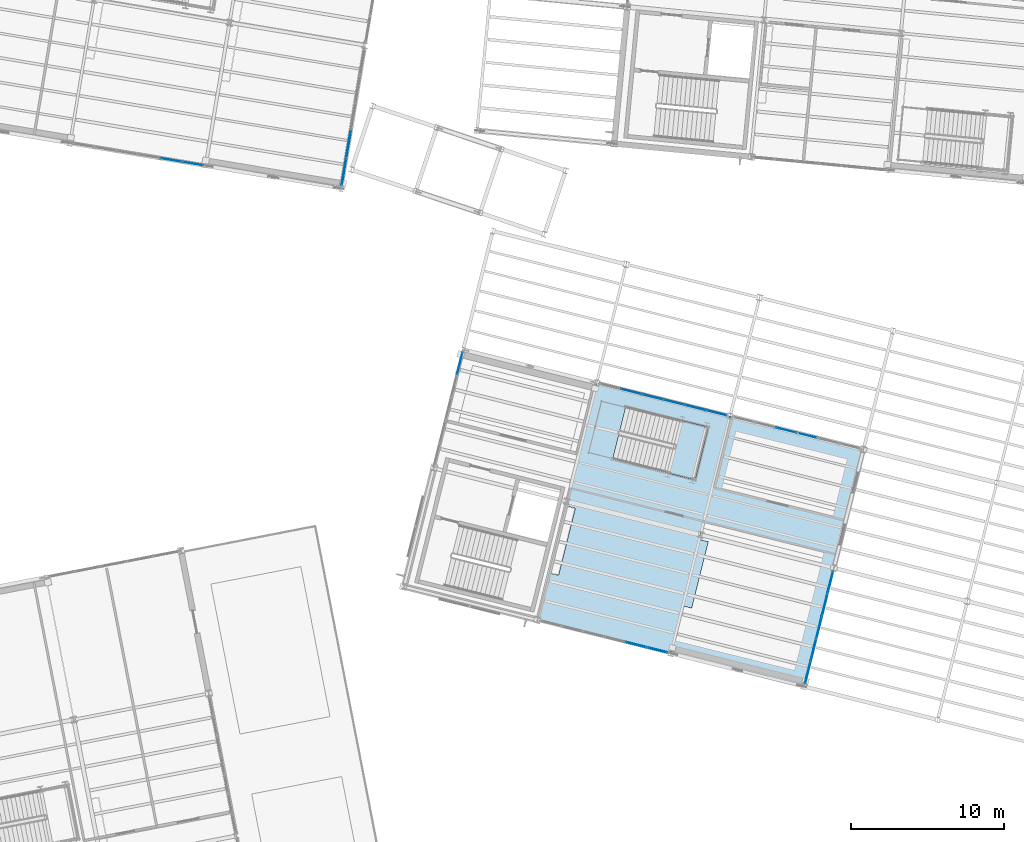
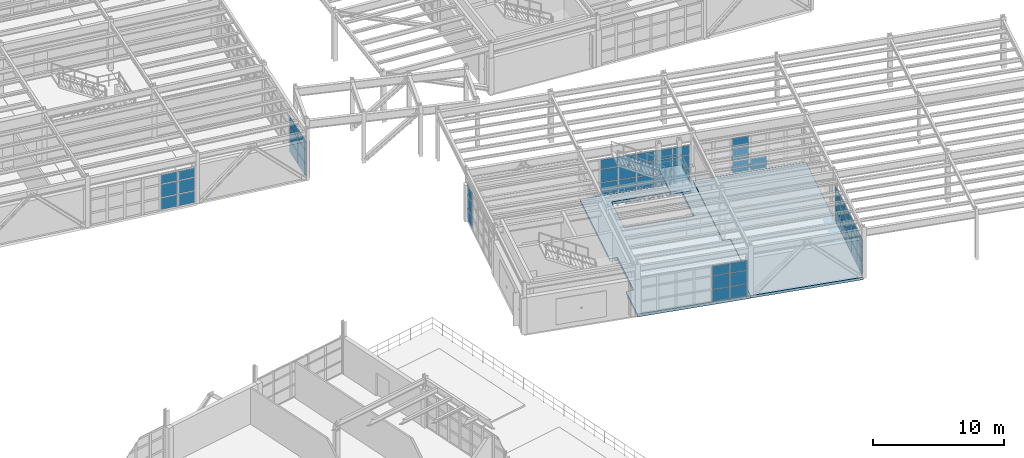
# One storey, part 67 of 109: 55 plates, 3 slabs, 8 elements without a shape of their own.
"""IFC4 building model written with IfcOpenShell, lengths in metres."""

from ifc_helpers import new_model, si_unit, direction, frame, origin, origin_2d, place, context, subcontext, project, spatial, polyline, rectangle, outline, extrude, material, layer, layer_set, type_object, element, aggregate, save


model = new_model("IFC4")

# Units and contexts
model_context = context("Model", 3, precision=1e-05, world=origin(), true_north=direction((0.0, 1.0)))
body_context = subcontext(model_context, "Body", "Model", "MODEL_VIEW")
ifc_project = project(units=[si_unit("LENGTHUNIT", "METRE"), si_unit("AREAUNIT", "SQUARE_METRE"), si_unit("VOLUMEUNIT", "CUBIC_METRE"), si_unit("PLANEANGLEUNIT", "RADIAN"), si_unit("MASSUNIT", "GRAM", prefix="KILO")], contexts=[model_context])

# Site, building, storey
site_placement = place(None, origin())
site = spatial("IfcSite", under=ifc_project, at=site_placement, CompositionType="ELEMENT")
building_placement = place(site_placement, origin())
building = spatial("IfcBuilding", under=site, at=building_placement, Name="Vireo Bluff Cable Station", CompositionType="ELEMENT")
storey_placement = place(building_placement, frame((0.0, 0.0, 4.800048828125)))
storey = spatial("IfcBuildingStorey", under=building, at=storey_placement, Name="L01", CompositionType="ELEMENT", Elevation=4.800048828125)

# Curtain wall, plates
ifc_material_1 = material(Name="Anodized Aluminium 6063-T6", Category="aluminium")
ifc_layer_1 = layer(ifc_material_1, 0.179931640625, Name="Anodized Aluminium 6063-T6")
ifc_layer_set_1 = layer_set([ifc_layer_1], Name="Anodized Aluminium 6063-T6")
curtain_wall_type_1 = type_object("IfcCurtainWallType", Name="CW-UNIT-1650", PredefinedType="USERDEFINED", material=ifc_layer_set_1)
curtain_wall_1_placement = place(storey_placement, origin())
curtain_wall_1 = element("IfcCurtainWall", 1, at=curtain_wall_1_placement, inside=storey, type_object=curtain_wall_type_1, Name="V1 L01 west curtain wall CW-005", ObjectType="UNITISED CURTAIN WALL", PredefinedType="USERDEFINED")
ifc_material_2 = material(Name="Laminated Low-E Insulated Glass", Category="glass")
ifc_layer_2 = layer(ifc_material_2, 0.028076171875, Name="Laminated Low-E Insulated Glass")
ifc_layer_set_2 = layer_set([ifc_layer_2], Name="Laminated Low-E Insulated Glass")
plate_type_1 = type_object("IfcPlateType", Name="CWP-28-1", PredefinedType="CURTAIN_PANEL", material=ifc_layer_set_2)
plate_1_placement = place(storey_placement, frame((57.6474609375, 52.62890625, 0.0751953125), z_axis=(0.0, 0.0, 1.0), x_axis=(0.241921948216, 0.970295713157, 0.0)))
plate_1 = element("IfcPlate", 2, at=plate_1_placement, type_object=plate_type_1, Name="CW-005 panel 5.1", PredefinedType="CURTAIN_PANEL", context=body_context, shape_type="SweptSolid", body=[
    extrude(rectangle(XDim=1.435302734375, YDim=0.028076171875, at=origin_2d()), origin(), (0.0, 0.0, 1.0), 1.077392578125),
])
plate_2_placement = place(storey_placement, frame((57.6474609375, 52.62890625, 1.227294921875), z_axis=(0.0, 0.0, 1.0), x_axis=(0.241921948216, 0.970295713157, 0.0)))
plate_2 = element("IfcPlate", 3, at=plate_2_placement, type_object=plate_type_1, Name="CW-005 panel 5.2", PredefinedType="CURTAIN_PANEL", context=body_context, shape_type="SweptSolid", body=[
    extrude(rectangle(XDim=1.435302734375, YDim=0.028076171875, at=origin_2d()), origin(), (0.0, 0.0, 1.0), 1.18310546875),
])
plate_3_placement = place(storey_placement, frame((57.6474609375, 52.62890625, 2.4853515625), z_axis=(0.0, 0.0, 1.0), x_axis=(0.241921948216, 0.970295713157, 0.0)))
plate_3 = element("IfcPlate", 4, at=plate_3_placement, type_object=plate_type_1, Name="CW-005 panel 5.3", PredefinedType="CURTAIN_PANEL", context=body_context, shape_type="SweptSolid", body=[
    extrude(rectangle(XDim=1.435302734375, YDim=0.028076171875, at=origin_2d()), origin(), (0.0, 0.0, 1.0), 0.839599609375),
])
aggregate(curtain_wall_1, [plate_1, plate_2, plate_3])

ifc_layer_3 = layer(ifc_material_1, 0.179931640625, Name="Anodized Aluminium 6063-T6")
ifc_layer_set_3 = layer_set([ifc_layer_3], Name="Anodized Aluminium 6063-T6")
curtain_wall_type_2 = type_object("IfcCurtainWallType", Name="CW-UNIT-1500", PredefinedType="USERDEFINED", material=ifc_layer_set_3)
curtain_wall_2_placement = place(storey_placement, origin())
curtain_wall_2 = element("IfcCurtainWall", 5, at=curtain_wall_2_placement, inside=storey, type_object=curtain_wall_type_2, Name="V4 L01 south curtain wall CW-085", ObjectType="UNITISED CURTAIN WALL", PredefinedType="USERDEFINED")
plate_4_placement = place(storey_placement, frame((40.146484375, 65.7021484375, 0.0751953125), z_axis=(0.0, 0.0, 1.0), x_axis=(-0.986285599325, 0.165047619081, 0.0)))
plate_4 = element("IfcPlate", 6, at=plate_4_placement, type_object=plate_type_1, Name="CW-085 panel 1.1", PredefinedType="CURTAIN_PANEL", context=body_context, shape_type="SweptSolid", body=[
    extrude(rectangle(XDim=1.334716796875, YDim=0.028076171875, at=origin_2d()), origin(), (0.0, 0.0, 1.0), 1.077392578125),
])
plate_5_placement = place(storey_placement, frame((40.146484375, 65.7021484375, 1.227294921875), z_axis=(0.0, 0.0, 1.0), x_axis=(-0.986285599325, 0.165047619081, 0.0)))
plate_5 = element("IfcPlate", 7, at=plate_5_placement, type_object=plate_type_1, Name="CW-085 panel 1.2", PredefinedType="CURTAIN_PANEL", context=body_context, shape_type="SweptSolid", body=[
    extrude(rectangle(XDim=1.334716796875, YDim=0.028076171875, at=origin_2d()), origin(), (0.0, 0.0, 1.0), 1.18310546875),
])
plate_6_placement = place(storey_placement, frame((40.146484375, 65.7021484375, 2.4853515625), z_axis=(0.0, 0.0, 1.0), x_axis=(-0.986285599325, 0.165047619081, 0.0)))
plate_6 = element("IfcPlate", 8, at=plate_6_placement, type_object=plate_type_1, Name="CW-085 panel 1.3", PredefinedType="CURTAIN_PANEL", context=body_context, shape_type="SweptSolid", body=[
    extrude(rectangle(XDim=1.334716796875, YDim=0.028076171875, at=origin_2d()), origin(), (0.0, 0.0, 1.0), 0.839599609375),
])
plate_7_placement = place(storey_placement, frame((38.737548828125, 65.93798828125, 0.0751953125), z_axis=(0.0, 0.0, 1.0), x_axis=(-0.986285599325, 0.165047619081, 0.0)))
plate_7 = element("IfcPlate", 9, at=plate_7_placement, type_object=plate_type_1, Name="CW-085 panel 2.1", PredefinedType="CURTAIN_PANEL", context=body_context, shape_type="SweptSolid", body=[
    extrude(rectangle(XDim=1.372314453125, YDim=0.028076171875, at=origin_2d()), origin(), (0.0, 0.0, 1.0), 1.077392578125),
])
plate_8_placement = place(storey_placement, frame((38.737548828125, 65.93798828125, 1.227294921875), z_axis=(0.0, 0.0, 1.0), x_axis=(-0.986285599325, 0.165047619081, 0.0)))
plate_8 = element("IfcPlate", 10, at=plate_8_placement, type_object=plate_type_1, Name="CW-085 panel 2.2", PredefinedType="CURTAIN_PANEL", context=body_context, shape_type="SweptSolid", body=[
    extrude(rectangle(XDim=1.372314453125, YDim=0.028076171875, at=origin_2d()), origin(), (0.0, 0.0, 1.0), 1.18310546875),
])
plate_9_placement = place(storey_placement, frame((38.737548828125, 65.93798828125, 2.4853515625), z_axis=(0.0, 0.0, 1.0), x_axis=(-0.986285599325, 0.165047619081, 0.0)))
plate_9 = element("IfcPlate", 11, at=plate_9_placement, type_object=plate_type_1, Name="CW-085 panel 2.3", PredefinedType="CURTAIN_PANEL", context=body_context, shape_type="SweptSolid", body=[
    extrude(rectangle(XDim=1.372314453125, YDim=0.028076171875, at=origin_2d()), origin(), (0.0, 0.0, 1.0), 0.839599609375),
])
aggregate(curtain_wall_2, [plate_4, plate_5, plate_6, plate_7, plate_8, plate_9])

ifc_layer_4 = layer(ifc_material_1, 0.179931640625, Name="Anodized Aluminium 6063-T6")
ifc_layer_set_4 = layer_set([ifc_layer_4], Name="Anodized Aluminium 6063-T6")
curtain_wall_type_3 = type_object("IfcCurtainWallType", Name="CW-UNIT-1400", PredefinedType="USERDEFINED", material=ifc_layer_set_4)
curtain_wall_3_placement = place(storey_placement, origin())
curtain_wall_3 = element("IfcCurtainWall", 12, at=curtain_wall_3_placement, inside=storey, type_object=curtain_wall_type_3, Name="V1 L01 north curtain wall CW-006", ObjectType="UNITISED CURTAIN WALL", PredefinedType="USERDEFINED")
ifc_layer_5 = layer(ifc_material_2, 0.031982421875, Name="Laminated Low-E Insulated Glass")
ifc_layer_set_5 = layer_set([ifc_layer_5], Name="Laminated Low-E Insulated Glass")
plate_type_2 = type_object("IfcPlateType", Name="CWP-32-2", PredefinedType="CURTAIN_PANEL", material=ifc_layer_set_5)
plate_10_placement = place(storey_placement, frame((68.877197265625, 50.780517578125, 0.059814453125), z_axis=(0.0, 0.0, 1.0), x_axis=(0.970295734104, -0.241921864202, 0.0)))
plate_10 = element("IfcPlate", 13, at=plate_10_placement, type_object=plate_type_2, Name="CW-006 panel 2.1", PredefinedType="CURTAIN_PANEL", context=body_context, shape_type="SweptSolid", body=[
    extrude(rectangle(XDim=1.377685546875, YDim=0.031982421875, at=origin_2d()), origin(), (0.0, 0.0, 1.0), 1.10009765625),
])
plate_11_placement = place(storey_placement, frame((68.877197265625, 50.780517578125, 1.2197265625), z_axis=(0.0, 0.0, 1.0), x_axis=(0.970295734104, -0.241921864202, 0.0)))
plate_11 = element("IfcPlate", 14, at=plate_11_placement, type_object=plate_type_2, Name="CW-006 panel 2.2", PredefinedType="CURTAIN_PANEL", context=body_context, shape_type="SweptSolid", body=[
    extrude(rectangle(XDim=1.377685546875, YDim=0.031982421875, at=origin_2d()), origin(), (0.0, 0.0, 1.0), 1.197998046875),
])
plate_12_placement = place(storey_placement, frame((68.877197265625, 50.780517578125, 2.47802734375), z_axis=(0.0, 0.0, 1.0), x_axis=(0.970295734104, -0.241921864202, 0.0)))
plate_12 = element("IfcPlate", 15, at=plate_12_placement, type_object=plate_type_2, Name="CW-006 panel 2.3", PredefinedType="CURTAIN_PANEL", context=body_context, shape_type="SweptSolid", body=[
    extrude(rectangle(XDim=1.377685546875, YDim=0.031982421875, at=origin_2d()), origin(), (0.0, 0.0, 1.0), 0.862060546875),
])
plate_13_placement = place(storey_placement, frame((70.272216796875, 50.4326171875, 0.059814453125), z_axis=(0.0, 0.0, 1.0), x_axis=(0.970295734104, -0.241921864202, 0.0)))
plate_13 = element("IfcPlate", 16, at=plate_13_placement, type_object=plate_type_2, Name="CW-006 panel 3.1", PredefinedType="CURTAIN_PANEL", context=body_context, shape_type="SweptSolid", body=[
    extrude(rectangle(XDim=1.377685546875, YDim=0.031982421875, at=origin_2d()), origin(), (0.0, 0.0, 1.0), 1.10009765625),
])
plate_14_placement = place(storey_placement, frame((70.272216796875, 50.4326171875, 1.2197265625), z_axis=(0.0, 0.0, 1.0), x_axis=(0.970295734104, -0.241921864202, 0.0)))
plate_14 = element("IfcPlate", 17, at=plate_14_placement, type_object=plate_type_2, Name="CW-006 panel 3.2", PredefinedType="CURTAIN_PANEL", context=body_context, shape_type="SweptSolid", body=[
    extrude(rectangle(XDim=1.377685546875, YDim=0.031982421875, at=origin_2d()), origin(), (0.0, 0.0, 1.0), 1.197998046875),
])
plate_15_placement = place(storey_placement, frame((70.272216796875, 50.4326171875, 2.47802734375), z_axis=(0.0, 0.0, 1.0), x_axis=(0.970295734104, -0.241921864202, 0.0)))
plate_15 = element("IfcPlate", 18, at=plate_15_placement, type_object=plate_type_2, Name="CW-006 panel 3.3", PredefinedType="CURTAIN_PANEL", context=body_context, shape_type="SweptSolid", body=[
    extrude(rectangle(XDim=1.377685546875, YDim=0.031982421875, at=origin_2d()), origin(), (0.0, 0.0, 1.0), 0.862060546875),
])
plate_16_placement = place(storey_placement, frame((71.667236328125, 50.0849609375, 0.059814453125), z_axis=(0.0, 0.0, 1.0), x_axis=(0.970295734104, -0.241921864202, 0.0)))
plate_16 = element("IfcPlate", 19, at=plate_16_placement, type_object=plate_type_2, Name="CW-006 panel 4.1", PredefinedType="CURTAIN_PANEL", context=body_context, shape_type="SweptSolid", body=[
    extrude(rectangle(XDim=1.377685546875, YDim=0.031982421875, at=origin_2d()), origin(), (0.0, 0.0, 1.0), 1.10009765625),
])
plate_17_placement = place(storey_placement, frame((71.667236328125, 50.0849609375, 1.2197265625), z_axis=(0.0, 0.0, 1.0), x_axis=(0.970295734104, -0.241921864202, 0.0)))
plate_17 = element("IfcPlate", 20, at=plate_17_placement, type_object=plate_type_2, Name="CW-006 panel 4.2", PredefinedType="CURTAIN_PANEL", context=body_context, shape_type="SweptSolid", body=[
    extrude(rectangle(XDim=1.377685546875, YDim=0.031982421875, at=origin_2d()), origin(), (0.0, 0.0, 1.0), 1.197998046875),
])
plate_18_placement = place(storey_placement, frame((71.667236328125, 50.0849609375, 2.47802734375), z_axis=(0.0, 0.0, 1.0), x_axis=(0.970295734104, -0.241921864202, 0.0)))
plate_18 = element("IfcPlate", 21, at=plate_18_placement, type_object=plate_type_2, Name="CW-006 panel 4.3", PredefinedType="CURTAIN_PANEL", context=body_context, shape_type="SweptSolid", body=[
    extrude(rectangle(XDim=1.377685546875, YDim=0.031982421875, at=origin_2d()), origin(), (0.0, 0.0, 1.0), 0.862060546875),
])
plate_19_placement = place(storey_placement, frame((73.062255859375, 49.737060546875, 0.059814453125), z_axis=(0.0, 0.0, 1.0), x_axis=(0.970295734104, -0.241921864202, 0.0)))
plate_19 = element("IfcPlate", 22, at=plate_19_placement, type_object=plate_type_2, Name="CW-006 panel 5.1", PredefinedType="CURTAIN_PANEL", context=body_context, shape_type="SweptSolid", body=[
    extrude(rectangle(XDim=1.377685546875, YDim=0.031982421875, at=origin_2d()), origin(), (0.0, 0.0, 1.0), 1.10009765625),
])
plate_20_placement = place(storey_placement, frame((73.062255859375, 49.737060546875, 1.2197265625), z_axis=(0.0, 0.0, 1.0), x_axis=(0.970295734104, -0.241921864202, 0.0)))
plate_20 = element("IfcPlate", 23, at=plate_20_placement, type_object=plate_type_2, Name="CW-006 panel 5.2", PredefinedType="CURTAIN_PANEL", context=body_context, shape_type="SweptSolid", body=[
    extrude(rectangle(XDim=1.377685546875, YDim=0.031982421875, at=origin_2d()), origin(), (0.0, 0.0, 1.0), 1.197998046875),
])
plate_21_placement = place(storey_placement, frame((73.062255859375, 49.737060546875, 2.47802734375), z_axis=(0.0, 0.0, 1.0), x_axis=(0.970295734104, -0.241921864202, 0.0)))
plate_21 = element("IfcPlate", 24, at=plate_21_placement, type_object=plate_type_2, Name="CW-006 panel 5.3", PredefinedType="CURTAIN_PANEL", context=body_context, shape_type="SweptSolid", body=[
    extrude(rectangle(XDim=1.377685546875, YDim=0.031982421875, at=origin_2d()), origin(), (0.0, 0.0, 1.0), 0.862060546875),
])
plate_22_placement = place(storey_placement, frame((74.442626953125, 49.392822265625, 0.059814453125), z_axis=(0.0, 0.0, 1.0), x_axis=(0.970295734104, -0.241921864202, 0.0)))
plate_22 = element("IfcPlate", 25, at=plate_22_placement, type_object=plate_type_2, Name="CW-006 panel 6.1", PredefinedType="CURTAIN_PANEL", context=body_context, shape_type="SweptSolid", body=[
    extrude(rectangle(XDim=1.34765625, YDim=0.031982421875, at=origin_2d()), origin(), (0.0, 0.0, 1.0), 1.10009765625),
])
plate_23_placement = place(storey_placement, frame((74.442626953125, 49.392822265625, 1.2197265625), z_axis=(0.0, 0.0, 1.0), x_axis=(0.970295734104, -0.241921864202, 0.0)))
plate_23 = element("IfcPlate", 26, at=plate_23_placement, type_object=plate_type_2, Name="CW-006 panel 6.2", PredefinedType="CURTAIN_PANEL", context=body_context, shape_type="SweptSolid", body=[
    extrude(rectangle(XDim=1.34765625, YDim=0.031982421875, at=origin_2d()), origin(), (0.0, 0.0, 1.0), 1.197998046875),
])
plate_24_placement = place(storey_placement, frame((74.442626953125, 49.392822265625, 2.47802734375), z_axis=(0.0, 0.0, 1.0), x_axis=(0.970295734104, -0.241921864202, 0.0)))
plate_24 = element("IfcPlate", 27, at=plate_24_placement, type_object=plate_type_2, Name="CW-006 panel 6.3", PredefinedType="CURTAIN_PANEL", context=body_context, shape_type="SweptSolid", body=[
    extrude(rectangle(XDim=1.34765625, YDim=0.031982421875, at=origin_2d()), origin(), (0.0, 0.0, 1.0), 0.862060546875),
])
aggregate(curtain_wall_3, [plate_10, plate_11, plate_12, plate_13, plate_14, plate_15, plate_16, plate_17, plate_18, plate_19, plate_20, plate_21, plate_22, plate_23, plate_24])

curtain_wall_4_placement = place(storey_placement, origin())
curtain_wall_4 = element("IfcCurtainWall", 28, at=curtain_wall_4_placement, inside=storey, type_object=curtain_wall_type_2, Name="V1 L01 north curtain wall CW-007", ObjectType="UNITISED CURTAIN WALL", PredefinedType="USERDEFINED")
ifc_layer_6 = layer(ifc_material_2, 0.035888671875, Name="Laminated Low-E Insulated Glass")
ifc_layer_set_6 = layer_set([ifc_layer_6], Name="Laminated Low-E Insulated Glass")
plate_type_3 = type_object("IfcPlateType", Name="CWP-36-3", PredefinedType="CURTAIN_PANEL", material=ifc_layer_set_6)
plate_25_placement = place(storey_placement, frame((79.0048828125, 48.25537109375, 0.080078125), z_axis=(0.0, 0.0, 1.0), x_axis=(0.970295734104, -0.241921864202, 0.0)))
plate_25 = element("IfcPlate", 29, at=plate_25_placement, type_object=plate_type_3, Name="CW-007 panel 3.1", PredefinedType="CURTAIN_PANEL", context=body_context, shape_type="SweptSolid", body=[
    extrude(rectangle(XDim=1.357666015625, YDim=0.035888671875, at=origin_2d()), origin(), (0.0, 0.0, 1.0), 1.070068359375),
])
plate_26_placement = place(storey_placement, frame((79.0048828125, 48.25537109375, 1.22998046875), z_axis=(0.0, 0.0, 1.0), x_axis=(0.970295734104, -0.241921864202, 0.0)))
plate_26 = element("IfcPlate", 30, at=plate_26_placement, type_object=plate_type_3, Name="CW-007 panel 3.2", PredefinedType="CURTAIN_PANEL", context=body_context, shape_type="SweptSolid", body=[
    extrude(rectangle(XDim=1.357666015625, YDim=0.035888671875, at=origin_2d()), origin(), (0.0, 0.0, 1.0), 1.177978515625),
])
plate_27_placement = place(storey_placement, frame((79.0048828125, 48.25537109375, 2.488037109375), z_axis=(0.0, 0.0, 1.0), x_axis=(0.970295734104, -0.241921864202, 0.0)))
plate_27 = element("IfcPlate", 31, at=plate_27_placement, type_object=plate_type_3, Name="CW-007 panel 3.3", PredefinedType="CURTAIN_PANEL", context=body_context, shape_type="SweptSolid", body=[
    extrude(rectangle(XDim=1.357666015625, YDim=0.035888671875, at=origin_2d()), origin(), (0.0, 0.0, 1.0), 0.83203125),
])
plate_28_placement = place(storey_placement, frame((80.39990234375, 47.907470703125, 0.080078125), z_axis=(0.0, 0.0, 1.0), x_axis=(0.970295734104, -0.241921864202, 0.0)))
plate_28 = element("IfcPlate", 32, at=plate_28_placement, type_object=plate_type_3, Name="CW-007 panel 4.1", PredefinedType="CURTAIN_PANEL", context=body_context, shape_type="SweptSolid", body=[
    extrude(rectangle(XDim=1.357666015625, YDim=0.035888671875, at=origin_2d()), origin(), (0.0, 0.0, 1.0), 1.070068359375),
])
aggregate(curtain_wall_4, [plate_25, plate_26, plate_27, plate_28])

curtain_wall_5_placement = place(storey_placement, origin())
curtain_wall_5 = element("IfcCurtainWall", 33, at=curtain_wall_5_placement, inside=storey, type_object=curtain_wall_type_1, Name="V1 L01 east curtain wall CW-008", ObjectType="UNITISED CURTAIN WALL", PredefinedType="USERDEFINED")
ifc_material_3 = material(Name="Insulated Spandrel Glass Panel", Category="glass")
ifc_layer_7 = layer(ifc_material_3, 0.0419921875, Name="Insulated Spandrel Glass Panel")
ifc_layer_set_7 = layer_set([ifc_layer_7], Name="Insulated Spandrel Glass Panel")
plate_type_4 = type_object("IfcPlateType", Name="CWP-42-4", PredefinedType="CURTAIN_PANEL", material=ifc_layer_set_7)
plate_29_placement = place(storey_placement, frame((81.900390625, 38.2958984375, 0.06494140625), z_axis=(0.0, 0.0, 1.0), x_axis=(-0.241921953331, -0.970295711882, 0.0)))
plate_29 = element("IfcPlate", 34, at=plate_29_placement, type_object=plate_type_4, Name="CW-008 panel 1.1", PredefinedType="CURTAIN_PANEL", context=body_context, shape_type="SweptSolid", body=[
    extrude(rectangle(XDim=1.429443359375, YDim=0.0419921875, at=origin_2d()), origin(), (0.0, 0.0, 1.0), 1.092529296875),
])
plate_30_placement = place(storey_placement, frame((81.900390625, 38.2958984375, 1.22216796875), z_axis=(0.0, 0.0, 1.0), x_axis=(-0.241921953331, -0.970295711882, 0.0)))
plate_30 = element("IfcPlate", 35, at=plate_30_placement, type_object=plate_type_4, Name="CW-008 panel 1.2", PredefinedType="CURTAIN_PANEL", context=body_context, shape_type="SweptSolid", body=[
    extrude(rectangle(XDim=1.429443359375, YDim=0.0419921875, at=origin_2d()), origin(), (0.0, 0.0, 1.0), 1.193115234375),
])
plate_31_placement = place(storey_placement, frame((81.900390625, 38.2958984375, 2.48046875), z_axis=(0.0, 0.0, 1.0), x_axis=(-0.241921953331, -0.970295711882, 0.0)))
plate_31 = element("IfcPlate", 36, at=plate_31_placement, type_object=plate_type_4, Name="CW-008 panel 1.3", PredefinedType="CURTAIN_PANEL", context=body_context, shape_type="SweptSolid", body=[
    extrude(rectangle(XDim=1.429443359375, YDim=0.0419921875, at=origin_2d()), origin(), (0.0, 0.0, 1.0), 0.8544921875),
])
plate_32_placement = place(storey_placement, frame((81.534912109375, 36.830078125, 0.06494140625), z_axis=(0.0, 0.0, 1.0), x_axis=(-0.241921953331, -0.970295711882, 0.0)))
plate_32 = element("IfcPlate", 37, at=plate_32_placement, type_object=plate_type_4, Name="CW-008 panel 2.1", PredefinedType="CURTAIN_PANEL", context=body_context, shape_type="SweptSolid", body=[
    extrude(rectangle(XDim=1.4619140625, YDim=0.0419921875, at=origin_2d()), origin(), (0.0, 0.0, 1.0), 1.092529296875),
])
plate_33_placement = place(storey_placement, frame((81.534912109375, 36.830078125, 1.22216796875), z_axis=(0.0, 0.0, 1.0), x_axis=(-0.241921953331, -0.970295711882, 0.0)))
plate_33 = element("IfcPlate", 38, at=plate_33_placement, type_object=plate_type_4, Name="CW-008 panel 2.2", PredefinedType="CURTAIN_PANEL", context=body_context, shape_type="SweptSolid", body=[
    extrude(rectangle(XDim=1.4619140625, YDim=0.0419921875, at=origin_2d()), origin(), (0.0, 0.0, 1.0), 1.193115234375),
])
plate_34_placement = place(storey_placement, frame((81.534912109375, 36.830078125, 2.48046875), z_axis=(0.0, 0.0, 1.0), x_axis=(-0.241921953331, -0.970295711882, 0.0)))
plate_34 = element("IfcPlate", 39, at=plate_34_placement, type_object=plate_type_4, Name="CW-008 panel 2.3", PredefinedType="CURTAIN_PANEL", context=body_context, shape_type="SweptSolid", body=[
    extrude(rectangle(XDim=1.4619140625, YDim=0.0419921875, at=origin_2d()), origin(), (0.0, 0.0, 1.0), 0.8544921875),
])
plate_35_placement = place(storey_placement, frame((81.16552734375, 35.3486328125, 0.06494140625), z_axis=(0.0, 0.0, 1.0), x_axis=(-0.241921953331, -0.970295711882, 0.0)))
plate_35 = element("IfcPlate", 40, at=plate_35_placement, type_object=plate_type_4, Name="CW-008 panel 3.1", PredefinedType="CURTAIN_PANEL", context=body_context, shape_type="SweptSolid", body=[
    extrude(rectangle(XDim=1.4619140625, YDim=0.0419921875, at=origin_2d()), origin(), (0.0, 0.0, 1.0), 1.092529296875),
])
plate_36_placement = place(storey_placement, frame((81.16552734375, 35.3486328125, 1.22216796875), z_axis=(0.0, 0.0, 1.0), x_axis=(-0.241921953331, -0.970295711882, 0.0)))
plate_36 = element("IfcPlate", 41, at=plate_36_placement, type_object=plate_type_4, Name="CW-008 panel 3.2", PredefinedType="CURTAIN_PANEL", context=body_context, shape_type="SweptSolid", body=[
    extrude(rectangle(XDim=1.4619140625, YDim=0.0419921875, at=origin_2d()), origin(), (0.0, 0.0, 1.0), 1.193115234375),
])
plate_37_placement = place(storey_placement, frame((81.16552734375, 35.3486328125, 2.48046875), z_axis=(0.0, 0.0, 1.0), x_axis=(-0.241921953331, -0.970295711882, 0.0)))
plate_37 = element("IfcPlate", 42, at=plate_37_placement, type_object=plate_type_4, Name="CW-008 panel 3.3", PredefinedType="CURTAIN_PANEL", context=body_context, shape_type="SweptSolid", body=[
    extrude(rectangle(XDim=1.4619140625, YDim=0.0419921875, at=origin_2d()), origin(), (0.0, 0.0, 1.0), 0.8544921875),
])
plate_38_placement = place(storey_placement, frame((80.796142578125, 33.866943359375, 0.06494140625), z_axis=(0.0, 0.0, 1.0), x_axis=(-0.241921953331, -0.970295711882, 0.0)))
plate_38 = element("IfcPlate", 43, at=plate_38_placement, type_object=plate_type_4, Name="CW-008 panel 4.1", PredefinedType="CURTAIN_PANEL", context=body_context, shape_type="SweptSolid", body=[
    extrude(rectangle(XDim=1.4619140625, YDim=0.0419921875, at=origin_2d()), origin(), (0.0, 0.0, 1.0), 1.092529296875),
])
plate_39_placement = place(storey_placement, frame((80.796142578125, 33.866943359375, 1.22216796875), z_axis=(0.0, 0.0, 1.0), x_axis=(-0.241921953331, -0.970295711882, 0.0)))
plate_39 = element("IfcPlate", 44, at=plate_39_placement, type_object=plate_type_4, Name="CW-008 panel 4.2", PredefinedType="CURTAIN_PANEL", context=body_context, shape_type="SweptSolid", body=[
    extrude(rectangle(XDim=1.4619140625, YDim=0.0419921875, at=origin_2d()), origin(), (0.0, 0.0, 1.0), 1.193115234375),
])
plate_40_placement = place(storey_placement, frame((80.796142578125, 33.866943359375, 2.48046875), z_axis=(0.0, 0.0, 1.0), x_axis=(-0.241921953331, -0.970295711882, 0.0)))
plate_40 = element("IfcPlate", 45, at=plate_40_placement, type_object=plate_type_4, Name="CW-008 panel 4.3", PredefinedType="CURTAIN_PANEL", context=body_context, shape_type="SweptSolid", body=[
    extrude(rectangle(XDim=1.4619140625, YDim=0.0419921875, at=origin_2d()), origin(), (0.0, 0.0, 1.0), 0.8544921875),
])
plate_41_placement = place(storey_placement, frame((80.4306640625, 32.401123046875, 0.06494140625), z_axis=(0.0, 0.0, 1.0), x_axis=(-0.241921953331, -0.970295711882, 0.0)))
plate_41 = element("IfcPlate", 46, at=plate_41_placement, type_object=plate_type_4, Name="CW-008 panel 5.1", PredefinedType="CURTAIN_PANEL", context=body_context, shape_type="SweptSolid", body=[
    extrude(rectangle(XDim=1.429443359375, YDim=0.0419921875, at=origin_2d()), origin(), (0.0, 0.0, 1.0), 1.092529296875),
])
plate_42_placement = place(storey_placement, frame((80.4306640625, 32.401123046875, 1.22216796875), z_axis=(0.0, 0.0, 1.0), x_axis=(-0.241921953331, -0.970295711882, 0.0)))
plate_42 = element("IfcPlate", 47, at=plate_42_placement, type_object=plate_type_4, Name="CW-008 panel 5.2", PredefinedType="CURTAIN_PANEL", context=body_context, shape_type="SweptSolid", body=[
    extrude(rectangle(XDim=1.429443359375, YDim=0.0419921875, at=origin_2d()), origin(), (0.0, 0.0, 1.0), 1.193115234375),
])
plate_43_placement = place(storey_placement, frame((80.4306640625, 32.401123046875, 2.48046875), z_axis=(0.0, 0.0, 1.0), x_axis=(-0.241921953331, -0.970295711882, 0.0)))
plate_43 = element("IfcPlate", 48, at=plate_43_placement, type_object=plate_type_4, Name="CW-008 panel 5.3", PredefinedType="CURTAIN_PANEL", context=body_context, shape_type="SweptSolid", body=[
    extrude(rectangle(XDim=1.429443359375, YDim=0.0419921875, at=origin_2d()), origin(), (0.0, 0.0, 1.0), 0.8544921875),
])
aggregate(curtain_wall_5, [plate_29, plate_30, plate_31, plate_32, plate_33, plate_34, plate_35, plate_36, plate_37, plate_38, plate_39, plate_40, plate_41, plate_42, plate_43])

curtain_wall_6_placement = place(storey_placement, origin())
curtain_wall_6 = element("IfcCurtainWall", 49, at=curtain_wall_6_placement, inside=storey, type_object=curtain_wall_type_2, Name="V1 L01 south curtain wall CW-004", ObjectType="UNITISED CURTAIN WALL", PredefinedType="USERDEFINED")
ifc_layer_8 = layer(ifc_material_3, 0.048095703125, Name="Insulated Spandrel Glass Panel")
ifc_layer_set_8 = layer_set([ifc_layer_8], Name="Insulated Spandrel Glass Panel")
plate_type_5 = type_object("IfcPlateType", Name="CWP-48-5", PredefinedType="CURTAIN_PANEL", material=ifc_layer_set_8)
plate_44_placement = place(storey_placement, frame((70.570556640625, 33.868408203125, 0.06494140625), z_axis=(0.0, 0.0, 1.0), x_axis=(-0.970295706891, 0.241921973348, 0.0)))
plate_44 = element("IfcPlate", 50, at=plate_44_placement, type_object=plate_type_5, Name="CW-004 panel 1.1", PredefinedType="CURTAIN_PANEL", context=body_context, shape_type="SweptSolid", body=[
    extrude(rectangle(XDim=1.340087890625, YDim=0.048095703125, at=origin_2d()), origin(), (0.0, 0.0, 1.0), 1.092529296875),
])
plate_45_placement = place(storey_placement, frame((70.570556640625, 33.868408203125, 1.22216796875), z_axis=(0.0, 0.0, 1.0), x_axis=(-0.970295706891, 0.241921973348, 0.0)))
plate_45 = element("IfcPlate", 51, at=plate_45_placement, type_object=plate_type_5, Name="CW-004 panel 1.2", PredefinedType="CURTAIN_PANEL", context=body_context, shape_type="SweptSolid", body=[
    extrude(rectangle(XDim=1.340087890625, YDim=0.048095703125, at=origin_2d()), origin(), (0.0, 0.0, 1.0), 1.193115234375),
])
plate_46_placement = place(storey_placement, frame((70.570556640625, 33.868408203125, 2.48046875), z_axis=(0.0, 0.0, 1.0), x_axis=(-0.970295706891, 0.241921973348, 0.0)))
plate_46 = element("IfcPlate", 52, at=plate_46_placement, type_object=plate_type_5, Name="CW-004 panel 1.3", PredefinedType="CURTAIN_PANEL", context=body_context, shape_type="SweptSolid", body=[
    extrude(rectangle(XDim=1.340087890625, YDim=0.048095703125, at=origin_2d()), origin(), (0.0, 0.0, 1.0), 0.8544921875),
])
plate_47_placement = place(storey_placement, frame((69.19140625, 34.21240234375, 0.06494140625), z_axis=(0.0, 0.0, 1.0), x_axis=(-0.970295706891, 0.241921973348, 0.0)))
plate_47 = element("IfcPlate", 53, at=plate_47_placement, type_object=plate_type_5, Name="CW-004 panel 2.1", PredefinedType="CURTAIN_PANEL", context=body_context, shape_type="SweptSolid", body=[
    extrude(rectangle(XDim=1.37255859375, YDim=0.048095703125, at=origin_2d()), origin(), (0.0, 0.0, 1.0), 1.092529296875),
])
plate_48_placement = place(storey_placement, frame((69.19140625, 34.21240234375, 1.22216796875), z_axis=(0.0, 0.0, 1.0), x_axis=(-0.970295706891, 0.241921973348, 0.0)))
plate_48 = element("IfcPlate", 54, at=plate_48_placement, type_object=plate_type_5, Name="CW-004 panel 2.2", PredefinedType="CURTAIN_PANEL", context=body_context, shape_type="SweptSolid", body=[
    extrude(rectangle(XDim=1.37255859375, YDim=0.048095703125, at=origin_2d()), origin(), (0.0, 0.0, 1.0), 1.193115234375),
])
plate_49_placement = place(storey_placement, frame((69.19140625, 34.21240234375, 2.48046875), z_axis=(0.0, 0.0, 1.0), x_axis=(-0.970295706891, 0.241921973348, 0.0)))
plate_49 = element("IfcPlate", 55, at=plate_49_placement, type_object=plate_type_5, Name="CW-004 panel 2.3", PredefinedType="CURTAIN_PANEL", context=body_context, shape_type="SweptSolid", body=[
    extrude(rectangle(XDim=1.37255859375, YDim=0.048095703125, at=origin_2d()), origin(), (0.0, 0.0, 1.0), 0.8544921875),
])
aggregate(curtain_wall_6, [plate_44, plate_45, plate_46, plate_47, plate_48, plate_49])

ifc_layer_9 = layer(ifc_material_1, 0.159912109375, Name="Anodized Aluminium 6063-T6")
ifc_layer_set_9 = layer_set([ifc_layer_9], Name="Anodized Aluminium 6063-T6")
curtain_wall_type_4 = type_object("IfcCurtainWallType", Name="CW-STICK-1750", PredefinedType="USERDEFINED", material=ifc_layer_set_9)
curtain_wall_7_placement = place(storey_placement, origin())
curtain_wall_7 = element("IfcCurtainWall", 56, at=curtain_wall_7_placement, inside=storey, type_object=curtain_wall_type_4, Name="V4 L01 east curtain wall CW-094", ObjectType="STICK CURTAIN WALL", PredefinedType="USERDEFINED")
plate_50_placement = place(storey_placement, frame((50.365478515625, 66.95654296875, 0.059814453125), z_axis=(0.0, 0.0, 1.0), x_axis=(-0.165047671394, -0.986285590571, 0.0)))
plate_50 = element("IfcPlate", 57, at=plate_50_placement, type_object=plate_type_5, Name="CW-094 panel 4.1", PredefinedType="CURTAIN_PANEL", context=body_context, shape_type="SweptSolid", body=[
    extrude(rectangle(XDim=1.766845703125, YDim=0.048095703125, at=origin_2d()), origin(), (0.0, 0.0, 1.0), 1.10009765625),
])
plate_51_placement = place(storey_placement, frame((50.365478515625, 66.95654296875, 1.2197265625), z_axis=(0.0, 0.0, 1.0), x_axis=(-0.165047671394, -0.986285590571, 0.0)))
plate_51 = element("IfcPlate", 58, at=plate_51_placement, type_object=plate_type_5, Name="CW-094 panel 4.2", PredefinedType="CURTAIN_PANEL", context=body_context, shape_type="SweptSolid", body=[
    extrude(rectangle(XDim=1.766845703125, YDim=0.048095703125, at=origin_2d()), origin(), (0.0, 0.0, 1.0), 1.197998046875),
])
plate_52_placement = place(storey_placement, frame((50.365478515625, 66.95654296875, 2.47802734375), z_axis=(0.0, 0.0, 1.0), x_axis=(-0.165047671394, -0.986285590571, 0.0)))
plate_52 = element("IfcPlate", 59, at=plate_52_placement, type_object=plate_type_5, Name="CW-094 panel 4.3", PredefinedType="CURTAIN_PANEL", context=body_context, shape_type="SweptSolid", body=[
    extrude(rectangle(XDim=1.766845703125, YDim=0.048095703125, at=origin_2d()), origin(), (0.0, 0.0, 1.0), 0.862060546875),
])
plate_53_placement = place(storey_placement, frame((50.06640625, 65.169677734375, 0.059814453125), z_axis=(0.0, 0.0, 1.0), x_axis=(-0.165047671394, -0.986285590571, 0.0)))
plate_53 = element("IfcPlate", 60, at=plate_53_placement, type_object=plate_type_5, Name="CW-094 panel 5.1", PredefinedType="CURTAIN_PANEL", context=body_context, shape_type="SweptSolid", body=[
    extrude(rectangle(XDim=1.73681640625, YDim=0.048095703125, at=origin_2d()), origin(), (0.0, 0.0, 1.0), 1.10009765625),
])
plate_54_placement = place(storey_placement, frame((50.06640625, 65.169677734375, 1.2197265625), z_axis=(0.0, 0.0, 1.0), x_axis=(-0.165047671394, -0.986285590571, 0.0)))
plate_54 = element("IfcPlate", 61, at=plate_54_placement, type_object=plate_type_5, Name="CW-094 panel 5.2", PredefinedType="CURTAIN_PANEL", context=body_context, shape_type="SweptSolid", body=[
    extrude(rectangle(XDim=1.73681640625, YDim=0.048095703125, at=origin_2d()), origin(), (0.0, 0.0, 1.0), 1.197998046875),
])
plate_55_placement = place(storey_placement, frame((50.06640625, 65.169677734375, 2.47802734375), z_axis=(0.0, 0.0, 1.0), x_axis=(-0.165047671394, -0.986285590571, 0.0)))
plate_55 = element("IfcPlate", 62, at=plate_55_placement, type_object=plate_type_5, Name="CW-094 panel 5.3", PredefinedType="CURTAIN_PANEL", context=body_context, shape_type="SweptSolid", body=[
    extrude(rectangle(XDim=1.73681640625, YDim=0.048095703125, at=origin_2d()), origin(), (0.0, 0.0, 1.0), 0.862060546875),
])
aggregate(curtain_wall_7, [plate_50, plate_51, plate_52, plate_53, plate_54, plate_55])

# Slabs
ifc_material_4 = material(Name="Concrete f'c 40 MPa", Category="concrete")
ifc_layer_10 = layer(ifc_material_4, 0.239990234375, Name="Concrete f'c 40 MPa")
ifc_layer_set_10 = layer_set([ifc_layer_10], Name="Concrete f'c 40 MPa")
slab_type_1 = type_object("IfcSlabType", Name="FLOORSLAB-240", PredefinedType="FLOOR", material=ifc_layer_set_10)
slab_1_placement = place(storey_placement, frame((0.0, 0.0, -0.239990234375)))
element("IfcSlab", 63, at=slab_1_placement, inside=storey, type_object=slab_type_1, Name="V1 L01 floor slab bay 3", PredefinedType="FLOOR", context=body_context, shape_type="SweptSolid", body=[
    extrude(outline(polyline([(71.47509765625, 33.64306640625), (80.197998046875, 31.468017578125), (84.06884765625, 46.992919921875), (75.345703125, 49.167724609375), (73.337890625, 41.1142578125), (73.939453125, 40.96435546875), (72.845947265625, 36.57861328125), (72.244384765625, 36.728515625), (71.47509765625, 33.64306640625)])), origin(), (0.0, 0.0, 1.0), 0.239990234375),
])
ifc_layer_11 = layer(ifc_material_4, 0.260009765625, Name="Concrete f'c 40 MPa")
ifc_layer_set_11 = layer_set([ifc_layer_11], Name="Concrete f'c 40 MPa")
slab_type_2 = type_object("IfcSlabType", Name="FLOORSLAB-260", PredefinedType="FLOOR", material=ifc_layer_set_11)
slab_2_placement = place(storey_placement, frame((0.0, 0.0, -0.260009765625)))
element("IfcSlab", 64, at=slab_2_placement, inside=storey, type_object=slab_type_2, Name="V1 L01 floor slab bay 2", PredefinedType="FLOOR", context=body_context, shape_type="SweptSolid", body=[
    extrude(outline(polyline([(62.742431640625, 35.8203125), (71.45556640625, 33.647705078125), (72.229736328125, 36.752685546875), (72.831298828125, 36.602783203125), (73.915283203125, 40.94970703125), (73.3134765625, 41.099609375), (75.326416015625, 49.172607421875), (66.613037109375, 51.344970703125), (64.605224609375, 43.29150390625), (65.206787109375, 43.1416015625), (64.11328125, 38.755859375), (63.51171875, 38.90576171875), (62.742431640625, 35.8203125)]), holes=[polyline([(67.6552734375, 46.34521484375), (68.51611328125, 49.7978515625), (73.919189453125, 48.45068359375), (73.058349609375, 44.998046875), (67.6552734375, 46.34521484375)])]), origin(), (0.0, 0.0, 1.0), 0.260009765625),
])

# Stair, slab
stair_type = type_object("IfcStairType", Name="STAIR-HT-1680", PredefinedType="HALF_TURN_STAIR", material=ifc_material_4)
stair_placement = place(storey_placement, origin())
stair = element("IfcStair", 65, at=stair_placement, inside=storey, type_object=stair_type, Name="L01 Feature Concourse Stair ST-10", PredefinedType="HALF_TURN_STAIR")
ifc_layer_12 = layer(ifc_material_4, 0.219970703125, Name="Concrete f'c 40 MPa")
ifc_layer_set_12 = layer_set([ifc_layer_12], Name="Concrete f'c 40 MPa")
slab_type_3 = type_object("IfcSlabType", Name="LANDING-220", PredefinedType="LANDING", material=ifc_layer_set_12)
slab_3_placement = place(storey_placement, frame((0.0, 0.0, 2.199951171875)))
slab_3 = element("IfcSlab", 66, at=slab_3_placement, type_object=slab_type_3, Name="ST-10 landing 1", PredefinedType="LANDING", context=body_context, shape_type="SweptSolid", body=[
    extrude(outline(polyline([(71.3115234375, 45.4326171875), (73.058837890625, 44.9970703125), (73.920166015625, 48.451416015625), (72.1728515625, 48.886962890625), (71.3115234375, 45.4326171875)])), origin(), (0.0, 0.0, 1.0), 0.199951171875),
])
aggregate(stair, [slab_3])

save(model, "model.ifc")
